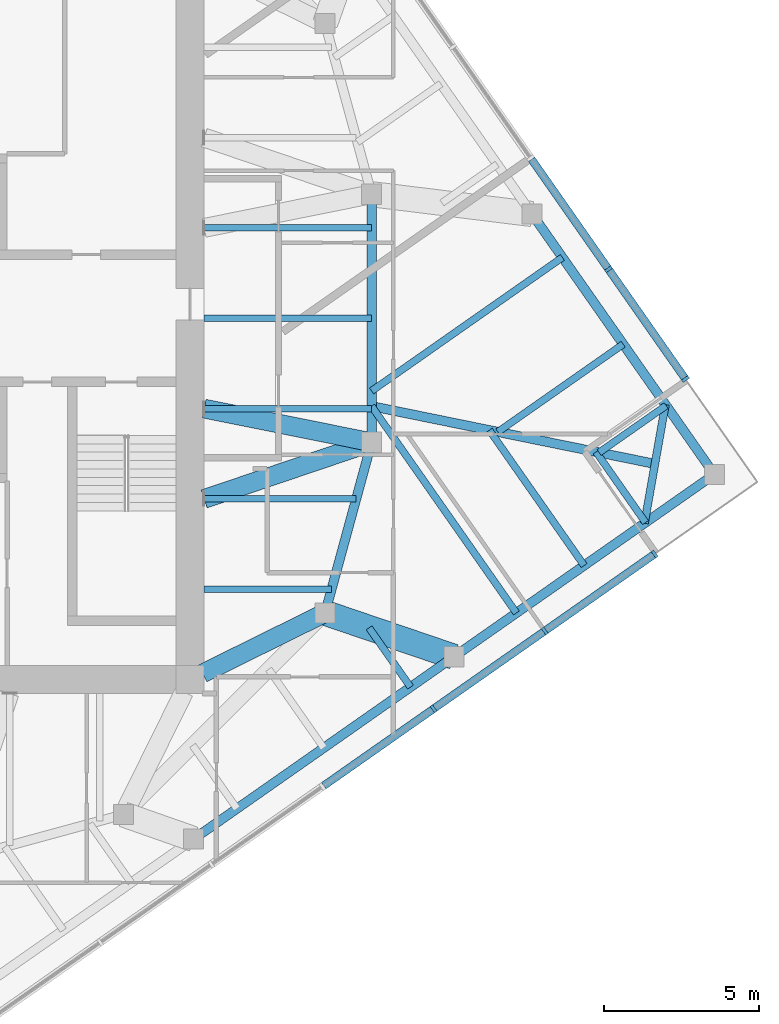
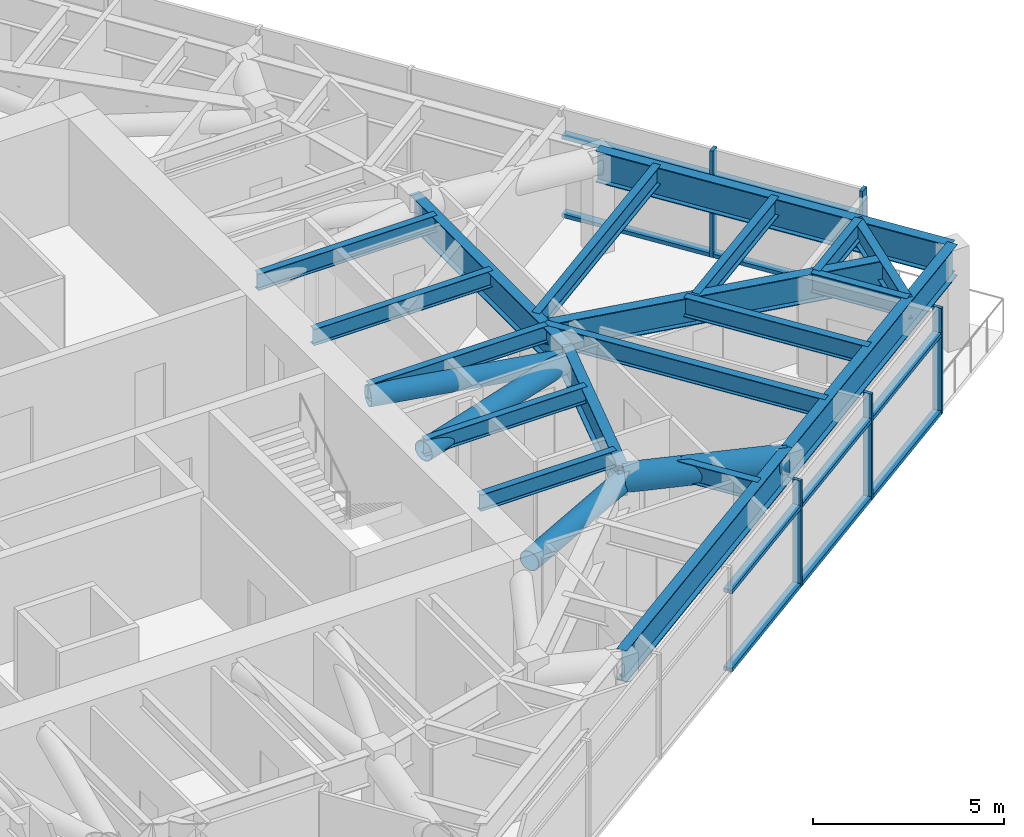
# One storey, part 4 of 15: 19 beams, 19 members, 2 elements without a shape of their own.
"""IFC4 building model written with IfcOpenShell, lengths in metres."""

from ifc_helpers import new_model, si_unit, direction, frame, origin, origin_2d, place, context, subcontext, project, spatial, rectangle, hollow_circle, i_section, extrude, material, material_profile, profile_set, type_object, element, aggregate, save


model = new_model("IFC4")

# Units and contexts
model_context = context("Model", 3, precision=1e-05, world=origin(), true_north=direction((0.0, 1.0)))
body_context = subcontext(model_context, "Body", "Model", "MODEL_VIEW")
ifc_project = project(units=[si_unit("LENGTHUNIT", "METRE"), si_unit("AREAUNIT", "SQUARE_METRE"), si_unit("VOLUMEUNIT", "CUBIC_METRE"), si_unit("PLANEANGLEUNIT", "RADIAN"), si_unit("MASSUNIT", "GRAM", prefix="KILO")], contexts=[model_context])

# Site, building, storey
site_placement = place(None, origin())
site = spatial("IfcSite", under=ifc_project, at=site_placement, CompositionType="ELEMENT")
building_placement = place(site_placement, origin())
building = spatial("IfcBuilding", under=site, at=building_placement, Name="Torsade Residences", CompositionType="ELEMENT")
storey_placement = place(building_placement, frame((0.0, 0.0, 264.199951171875)))
storey = spatial("IfcBuildingStorey", under=building, at=storey_placement, Name="L73", CompositionType="ELEMENT", Elevation=264.199951171875)

# Beams
ifc_material_1 = material(Name="Steel grade 300", Category="steel")
ifc_material_profile_1 = material_profile(ifc_material_1, i_section(OverallWidth=0.300048828125, OverallDepth=0.89990234375, WebThickness=0.011962890625, FlangeThickness=0.02490234375, at=origin_2d()), Name="900WB175")
ifc_profile_set_1 = profile_set([ifc_material_profile_1], Name="Steel grade 300")
beam_type_1 = type_object("IfcBeamType", Name="CORNER GIRDER 900WB175", PredefinedType="BEAM", material=ifc_profile_set_1)
beam_1_placement = place(storey_placement, frame((66.635986328125, 25.303466796875, 2.75), z_axis=(-0.979880626756, 0.199584461589, 0.0), x_axis=(-0.199584461589, -0.979880626756, 0.0)))
element("IfcBeam", 1, at=beam_1_placement, inside=storey, type_object=beam_type_1, Name="Corner girder 05 L74", PredefinedType="BEAM", context=body_context, shape_type="SweptSolid", body=[
    extrude(i_section(OverallWidth=0.300048828125, OverallDepth=0.89990234375, WebThickness=0.011962890625, FlangeThickness=0.02490234375, at=origin_2d()), origin(), (0.0, 0.0, 1.0), 9.323486328125),
])
ifc_material_2 = material(Name="Steel grade 300", Category="steel")
ifc_material_profile_2 = material_profile(ifc_material_2, i_section(OverallWidth=0.25, OverallDepth=0.699951171875, WebThickness=0.010009765625, FlangeThickness=0.02001953125, at=origin_2d()), Name="700WB130")
ifc_profile_set_2 = profile_set([ifc_material_profile_2], Name="Steel grade 300")
beam_type_2 = type_object("IfcBeamType", Name="CORNER TRIMMER 700WB130", PredefinedType="BEAM", material=ifc_profile_set_2)
beam_2_placement = place(storey_placement, frame((66.9736328125, 27.21826171875, 2.85009765625), z_axis=(-0.173645660267, -0.984808196894, 0.0), x_axis=(0.984808196894, -0.173645660267, 0.0)))
element("IfcBeam", 2, at=beam_2_placement, inside=storey, type_object=beam_type_2, Name="Corner trimmer 05 L74", PredefinedType="BEAM", context=body_context, shape_type="SweptSolid", body=[
    extrude(i_section(OverallWidth=0.25, OverallDepth=0.699951171875, WebThickness=0.010009765625, FlangeThickness=0.02001953125, at=origin_2d()), origin(), (0.0, 0.0, 1.0), 3.888916015625),
])

# Curtain wall, members
ifc_material_3 = material(Name="Aluminium and glass", Category="aluminium")
curtain_wall_type = type_object("IfcCurtainWallType", Name="FRITTED GLASS CURTAIN WALL HIGH ZONE", PredefinedType="NOTDEFINED", material=ifc_material_3)
curtain_wall_1_placement = place(storey_placement, origin())
curtain_wall_1 = element("IfcCurtainWall", 3, at=curtain_wall_1_placement, inside=storey, type_object=curtain_wall_type, Name="Curtain wall L73 face 1", PredefinedType="NOTDEFINED")
ifc_material_4 = material(Name="Aluminium mullion", Category="aluminium")
ifc_material_profile_3 = material_profile(ifc_material_4, rectangle(XDim=0.25, YDim=0.10009765625, at=origin_2d()), Name="HIGH ZONE CURTAIN WALL MULLION 250x100")
ifc_profile_set_3 = profile_set([ifc_material_profile_3], Name="Aluminium mullion")
member_type_1 = type_object("IfcMemberType", Name="HIGH ZONE CURTAIN WALL MULLION 250x100", PredefinedType="MULLION", material=ifc_profile_set_3)
member_1_placement = place(storey_placement, frame((59.49951171875, 17.406982421875, 0.0), z_axis=(0.0, 0.0, 1.0), x_axis=(-0.573576457682, 0.819152029353, 0.0)))
member_1 = element("IfcMember", 4, at=member_1_placement, type_object=member_type_1, Name="Mullion 7", PredefinedType="MULLION", context=body_context, shape_type="SweptSolid", body=[
    extrude(rectangle(XDim=0.25, YDim=0.10009765625, at=origin_2d()), origin(), (0.0, 0.0, 1.0), 3.400146484375),
])
member_2_placement = place(storey_placement, frame((63.083251953125, 19.91650390625, 0.0), z_axis=(0.0, 0.0, 1.0), x_axis=(-0.573576457682, 0.819152029353, 0.0)))
member_2 = element("IfcMember", 5, at=member_2_placement, type_object=member_type_1, Name="Mullion 8", PredefinedType="MULLION", context=body_context, shape_type="SweptSolid", body=[
    extrude(rectangle(XDim=0.25, YDim=0.10009765625, at=origin_2d()), origin(), (0.0, 0.0, 1.0), 3.400146484375),
])
member_3_placement = place(storey_placement, frame((66.6259765625, 22.397216796875, 0.0), z_axis=(0.0, 0.0, 1.0), x_axis=(-0.573576457682, 0.819152029353, 0.0)))
member_3 = element("IfcMember", 6, at=member_3_placement, type_object=member_type_1, Name="Mullion 9", PredefinedType="MULLION", context=body_context, shape_type="SweptSolid", body=[
    extrude(rectangle(XDim=0.25, YDim=0.10009765625, at=origin_2d()), origin(), (0.0, 0.0, 1.0), 3.400146484375),
])

curtain_wall_2_placement = place(storey_placement, origin())
curtain_wall_2 = element("IfcCurtainWall", 7, at=curtain_wall_2_placement, inside=storey, type_object=curtain_wall_type, Name="Curtain wall L73 face 4", PredefinedType="NOTDEFINED")
member_4_placement = place(storey_placement, frame((67.62060546875, 28.03759765625, 0.0), z_axis=(0.0, 0.0, 1.0), x_axis=(-0.819152029353, -0.573576457682, 0.0)))
member_4 = element("IfcMember", 8, at=member_4_placement, type_object=member_type_1, Name="Mullion 1", PredefinedType="MULLION", context=body_context, shape_type="SweptSolid", body=[
    extrude(rectangle(XDim=0.25, YDim=0.10009765625, at=origin_2d()), origin(), (0.0, 0.0, 1.0), 3.400146484375),
])
member_5_placement = place(storey_placement, frame((65.139892578125, 31.58056640625, 0.0), z_axis=(0.0, 0.0, 1.0), x_axis=(-0.819152029353, -0.573576457682, 0.0)))
member_5 = element("IfcMember", 9, at=member_5_placement, type_object=member_type_1, Name="Mullion 2", PredefinedType="MULLION", context=body_context, shape_type="SweptSolid", body=[
    extrude(rectangle(XDim=0.25, YDim=0.10009765625, at=origin_2d()), origin(), (0.0, 0.0, 1.0), 3.400146484375),
])

# Member
ifc_material_5 = material(Name="Aluminium transom", Category="aluminium")
ifc_material_profile_4 = material_profile(ifc_material_5, rectangle(XDim=0.25, YDim=0.1201171875, at=origin_2d()), Name="HIGH ZONE CURTAIN WALL TRANSOM 250x120")
ifc_profile_set_4 = profile_set([ifc_material_profile_4], Name="Aluminium transom")
member_type_2 = type_object("IfcMemberType", Name="HIGH ZONE CURTAIN WALL TRANSOM 250x120", PredefinedType="USERDEFINED", material=ifc_profile_set_4)
member_6_placement = place(storey_placement, frame((55.95654296875, 14.92626953125, 0.06005859375), z_axis=(0.819146058863, 0.57358498433, 0.0), x_axis=(-0.57358498433, 0.819146058863, 0.0)))
member_6 = element("IfcMember", 10, at=member_6_placement, type_object=member_type_2, Name="Transom 6.1", ObjectType="TRANSOM", PredefinedType="USERDEFINED", context=body_context, shape_type="SweptSolid", body=[
    extrude(rectangle(XDim=0.25, YDim=0.1201171875, at=origin_2d()), origin(), (0.0, 0.0, 1.0), 4.275146484375),
])

member_7_placement = place(storey_placement, frame((55.95654296875, 14.92626953125, 2.56005859375), z_axis=(0.819146058863, 0.57358498433, 0.0), x_axis=(-0.57358498433, 0.819146058863, 0.0)))
member_7 = element("IfcMember", 11, at=member_7_placement, type_object=member_type_2, Name="Transom 6.2", ObjectType="TRANSOM", PredefinedType="USERDEFINED", context=body_context, shape_type="SweptSolid", body=[
    extrude(rectangle(XDim=0.25, YDim=0.1201171875, at=origin_2d()), origin(), (0.0, 0.0, 1.0), 4.275146484375),
])

member_8_placement = place(storey_placement, frame((59.54052734375, 17.435791015625, 0.06005859375), z_axis=(0.819154102984, 0.573573496219, 0.0), x_axis=(-0.573573496219, 0.819154102984, 0.0)))
member_8 = element("IfcMember", 12, at=member_8_placement, type_object=member_type_2, Name="Transom 7.1", ObjectType="TRANSOM", PredefinedType="USERDEFINED", context=body_context, shape_type="SweptSolid", body=[
    extrude(rectangle(XDim=0.25, YDim=0.1201171875, at=origin_2d()), origin(), (0.0, 0.0, 1.0), 4.27490234375),
])

member_9_placement = place(storey_placement, frame((59.54052734375, 17.435791015625, 2.56005859375), z_axis=(0.819154102984, 0.573573496219, 0.0), x_axis=(-0.573573496219, 0.819154102984, 0.0)))
member_9 = element("IfcMember", 13, at=member_9_placement, type_object=member_type_2, Name="Transom 7.2", ObjectType="TRANSOM", PredefinedType="USERDEFINED", context=body_context, shape_type="SweptSolid", body=[
    extrude(rectangle(XDim=0.25, YDim=0.1201171875, at=origin_2d()), origin(), (0.0, 0.0, 1.0), 4.27490234375),
])

member_10_placement = place(storey_placement, frame((63.124267578125, 19.945068359375, 0.06005859375), z_axis=(0.819155901234, 0.573570928023, 0.0), x_axis=(-0.573570928023, 0.819155901234, 0.0)))
member_10 = element("IfcMember", 14, at=member_10_placement, type_object=member_type_2, Name="Transom 8.1", ObjectType="TRANSOM", PredefinedType="USERDEFINED", context=body_context, shape_type="SweptSolid", body=[
    extrude(rectangle(XDim=0.25, YDim=0.1201171875, at=origin_2d()), origin(), (0.0, 0.0, 1.0), 4.22509765625),
])

member_11_placement = place(storey_placement, frame((63.124267578125, 19.945068359375, 2.56005859375), z_axis=(0.819155901234, 0.573570928023, 0.0), x_axis=(-0.573570928023, 0.819155901234, 0.0)))
member_11 = element("IfcMember", 15, at=member_11_placement, type_object=member_type_2, Name="Transom 8.2", ObjectType="TRANSOM", PredefinedType="USERDEFINED", context=body_context, shape_type="SweptSolid", body=[
    extrude(rectangle(XDim=0.25, YDim=0.1201171875, at=origin_2d()), origin(), (0.0, 0.0, 1.0), 4.22509765625),
])

aggregate(curtain_wall_1, [member_1, member_2, member_3, member_6, member_7, member_8, member_9, member_10, member_11])

member_12_placement = place(storey_placement, frame((67.592041015625, 28.07861328125, 0.06005859375), z_axis=(-0.573570928023, 0.819155901234, 0.0), x_axis=(-0.819155901234, -0.573570928023, 0.0)))
member_12 = element("IfcMember", 16, at=member_12_placement, type_object=member_type_2, Name="Transom 1.1", ObjectType="TRANSOM", PredefinedType="USERDEFINED", context=body_context, shape_type="SweptSolid", body=[
    extrude(rectangle(XDim=0.25, YDim=0.1201171875, at=origin_2d()), origin(), (0.0, 0.0, 1.0), 4.22509765625),
])

member_13_placement = place(storey_placement, frame((67.592041015625, 28.07861328125, 2.56005859375), z_axis=(-0.573570928023, 0.819155901234, 0.0), x_axis=(-0.819155901234, -0.573570928023, 0.0)))
member_13 = element("IfcMember", 17, at=member_13_placement, type_object=member_type_2, Name="Transom 1.2", ObjectType="TRANSOM", PredefinedType="USERDEFINED", context=body_context, shape_type="SweptSolid", body=[
    extrude(rectangle(XDim=0.25, YDim=0.1201171875, at=origin_2d()), origin(), (0.0, 0.0, 1.0), 4.22509765625),
])

member_14_placement = place(storey_placement, frame((65.111328125, 31.62158203125, 0.06005859375), z_axis=(-0.573611817101, 0.819127269283, 0.0), x_axis=(-0.819127269283, -0.573611817101, 0.0)))
member_14 = element("IfcMember", 18, at=member_14_placement, type_object=member_type_2, Name="Transom 2.1", ObjectType="TRANSOM", PredefinedType="USERDEFINED", context=body_context, shape_type="SweptSolid", body=[
    extrude(rectangle(XDim=0.25, YDim=0.1201171875, at=origin_2d()), origin(), (0.0, 0.0, 1.0), 4.27490234375),
])

member_15_placement = place(storey_placement, frame((65.111328125, 31.62158203125, 2.56005859375), z_axis=(-0.573611817101, 0.819127269283, 0.0), x_axis=(-0.819127269283, -0.573611817101, 0.0)))
member_15 = element("IfcMember", 19, at=member_15_placement, type_object=member_type_2, Name="Transom 2.2", ObjectType="TRANSOM", PredefinedType="USERDEFINED", context=body_context, shape_type="SweptSolid", body=[
    extrude(rectangle(XDim=0.25, YDim=0.1201171875, at=origin_2d()), origin(), (0.0, 0.0, 1.0), 4.27490234375),
])

aggregate(curtain_wall_2, [member_4, member_5, member_12, member_13, member_14, member_15])

# Beams
ifc_material_6 = material(Name="Steel grade 300", Category="steel")
ifc_material_profile_5 = material_profile(ifc_material_6, i_section(OverallWidth=0.208984375, OverallDepth=0.528076171875, WebThickness=0.009521484375, FlangeThickness=0.01318359375, FilletRadius=0.013916015625, at=origin_2d()), Name="530UB82.0")
ifc_profile_set_5 = profile_set([ifc_material_profile_5], Name="Steel grade 300")
beam_type_3 = type_object("IfcBeamType", Name="INNER FLOOR BEAM 530UB82.0", PredefinedType="JOIST", material=ifc_profile_set_5)
beam_3_placement = place(storey_placement, frame((52.10009765625, 21.262451171875, 2.93603515625), z_axis=(1.0, 0.0, 0.0), x_axis=(0.0, 1.0, 0.0)))
element("IfcBeam", 20, at=beam_3_placement, inside=storey, type_object=beam_type_3, Name="Inner floor beam IE01 L74", PredefinedType="JOIST", context=body_context, shape_type="SweptSolid", body=[
    extrude(i_section(OverallWidth=0.208984375, OverallDepth=0.528076171875, WebThickness=0.009521484375, FlangeThickness=0.01318359375, FilletRadius=0.013916015625, at=origin_2d()), origin(), (0.0, 0.0, 1.0), 4.10791015625),
])
beam_4_placement = place(storey_placement, frame((52.10009765625, 24.175048828125, 2.93603515625), z_axis=(1.0, 0.0, 0.0), x_axis=(0.0, 1.0, 0.0)))
element("IfcBeam", 21, at=beam_4_placement, inside=storey, type_object=beam_type_3, Name="Inner floor beam IE02 L74", PredefinedType="JOIST", context=body_context, shape_type="SweptSolid", body=[
    extrude(i_section(OverallWidth=0.208984375, OverallDepth=0.528076171875, WebThickness=0.009521484375, FlangeThickness=0.01318359375, FilletRadius=0.013916015625, at=origin_2d()), origin(), (0.0, 0.0, 1.0), 4.902099609375),
])
for number, where, z_axis, x_axis, name in (
    (22, (52.10009765625, 27.08740234375, 2.93603515625), (1.0, 0.0, 0.0), (0.0, 1.0, 0.0), "Inner floor beam IE03 L74"),
    (23, (52.10009765625, 30.0, 2.93603515625), (1.0, 0.0, 0.0), (0.0, 1.0, 0.0), "Inner floor beam IE04 L74"),
    (24, (52.10009765625, 32.91259765625, 2.93603515625), (1.0, 0.0, 0.0), (0.0, 1.0, 0.0), "Inner floor beam IE05 L74"),
):
    element("IfcBeam", number, at=place(storey_placement, frame(where, z_axis=z_axis, x_axis=x_axis)), inside=storey, type_object=beam_type_3, Name=name, PredefinedType="JOIST", context=body_context, shape_type="SweptSolid", body=[
        extrude(i_section(OverallWidth=0.208984375, OverallDepth=0.528076171875, WebThickness=0.009521484375, FlangeThickness=0.01318359375, FilletRadius=0.013916015625, at=origin_2d()), origin(), (0.0, 0.0, 1.0), 5.39990234375),
    ])
ifc_material_7 = material(Name="Steel grade 300", Category="steel")
ifc_material_profile_6 = material_profile(ifc_material_7, i_section(OverallWidth=0.300048828125, OverallDepth=1.0, WebThickness=0.01611328125, FlangeThickness=0.028076171875, at=origin_2d()), Name="1000WB215")
ifc_profile_set_6 = profile_set([ifc_material_profile_6], Name="Steel grade 300")
beam_type_4 = type_object("IfcBeamType", Name="RING GIRDER 1000WB215", PredefinedType="BEAM", material=ifc_profile_set_6)
beam_5_placement = place(storey_placement, frame((57.5, 26.0, 2.699951171875), z_axis=(0.0, 1.0, 0.0), x_axis=(-1.0, 0.0, 0.0)))
element("IfcBeam", 25, at=beam_5_placement, inside=storey, type_object=beam_type_4, Name="Ring girder IR01 L74", PredefinedType="BEAM", context=body_context, shape_type="SweptSolid", body=[
    extrude(i_section(OverallWidth=0.300048828125, OverallDepth=1.0, WebThickness=0.01611328125, FlangeThickness=0.028076171875, at=origin_2d()), origin(), (0.0, 0.0, 1.0), 8.0),
])
beam_6_placement = place(storey_placement, frame((56.0, 20.5, 2.699951171875), z_axis=(0.263117405792, 0.964763821238, 0.0), x_axis=(-0.964763821238, 0.263117405792, 0.0)))
element("IfcBeam", 26, at=beam_6_placement, inside=storey, type_object=beam_type_4, Name="Ring girder IR16 L74", PredefinedType="BEAM", context=body_context, shape_type="SweptSolid", body=[
    extrude(i_section(OverallWidth=0.300048828125, OverallDepth=1.0, WebThickness=0.01611328125, FlangeThickness=0.028076171875, at=origin_2d()), origin(), (0.0, 0.0, 1.0), 5.700927734375),
])
ifc_material_8 = material(Name="Steel grade 300", Category="steel")
ifc_material_profile_7 = material_profile(ifc_material_8, i_section(OverallWidth=0.22900390625, OverallDepth=0.612060546875, WebThickness=0.011962890625, FlangeThickness=0.01953125, FilletRadius=0.013916015625, at=origin_2d()), Name="610UB125")
ifc_profile_set_7 = profile_set([ifc_material_profile_7], Name="Steel grade 300")
beam_type_5 = type_object("IfcBeamType", Name="SECONDARY BEAM 610UB125", PredefinedType="JOIST", material=ifc_profile_set_7)
beam_7_placement = place(storey_placement, frame((58.755126953125, 18.106689453125, 2.89404296875), z_axis=(-0.573560664637, 0.819163087535, 0.0), x_axis=(-0.819163087535, -0.573560664637, 0.0)))
element("IfcBeam", 27, at=beam_7_placement, inside=storey, type_object=beam_type_5, Name="Floor beam FS09 L74", PredefinedType="JOIST", context=body_context, shape_type="SweptSolid", body=[
    extrude(i_section(OverallWidth=0.22900390625, OverallDepth=0.612060546875, WebThickness=0.011962890625, FlangeThickness=0.01953125, FilletRadius=0.013916015625, at=origin_2d()), origin(), (0.0, 0.0, 1.0), 2.3330078125),
])
beam_8_placement = place(storey_placement, frame((62.16845703125, 20.49658203125, 2.89404296875), z_axis=(-0.573577087251, 0.819151588523, 0.0), x_axis=(-0.819151588523, -0.573577087251, 0.0)))
element("IfcBeam", 28, at=beam_8_placement, inside=storey, type_object=beam_type_5, Name="Floor beam FS10 L74", PredefinedType="JOIST", context=body_context, shape_type="SweptSolid", body=[
    extrude(i_section(OverallWidth=0.22900390625, OverallDepth=0.612060546875, WebThickness=0.011962890625, FlangeThickness=0.01953125, FilletRadius=0.013916015625, at=origin_2d()), origin(), (0.0, 0.0, 1.0), 8.13916015625),
])
beam_9_placement = place(storey_placement, frame((64.352783203125, 22.026123046875, 2.89404296875), z_axis=(-0.573597638513, 0.819137197966, 0.0), x_axis=(-0.819137197966, -0.573597638513, 0.0)))
element("IfcBeam", 29, at=beam_9_placement, inside=storey, type_object=beam_type_5, Name="Floor beam FS11 L74", PredefinedType="JOIST", context=body_context, shape_type="SweptSolid", body=[
    extrude(i_section(OverallWidth=0.22900390625, OverallDepth=0.612060546875, WebThickness=0.011962890625, FlangeThickness=0.01953125, FilletRadius=0.013916015625, at=origin_2d()), origin(), (0.0, 0.0, 1.0), 5.328369140625),
])
beam_10_placement = place(storey_placement, frame((66.332275390625, 23.412353515625, 2.89404296875), z_axis=(-0.573521270253, 0.819190669238, 0.0), x_axis=(-0.819190669238, -0.573521270253, 0.0)))
element("IfcBeam", 30, at=beam_10_placement, inside=storey, type_object=beam_type_5, Name="Floor beam FS12 L74", PredefinedType="JOIST", context=body_context, shape_type="SweptSolid", body=[
    extrude(i_section(OverallWidth=0.22900390625, OverallDepth=0.612060546875, WebThickness=0.011962890625, FlangeThickness=0.01953125, FilletRadius=0.013916015625, at=origin_2d()), origin(), (0.0, 0.0, 1.0), 2.780517578125),
])
beam_11_placement = place(storey_placement, frame((66.99755859375, 27.184326171875, 2.89404296875), z_axis=(-0.819140666445, -0.573592685254, 0.0), x_axis=(0.573592685254, -0.819140666445, 0.0)))
element("IfcBeam", 31, at=beam_11_placement, inside=storey, type_object=beam_type_5, Name="Floor beam FE01 L74", PredefinedType="JOIST", context=body_context, shape_type="SweptSolid", body=[
    extrude(i_section(OverallWidth=0.22900390625, OverallDepth=0.612060546875, WebThickness=0.011962890625, FlangeThickness=0.01953125, FilletRadius=0.013916015625, at=origin_2d()), origin(), (0.0, 0.0, 1.0), 2.639892578125),
])
beam_12_placement = place(storey_placement, frame((65.611328125, 29.163818359375, 2.89404296875), z_axis=(-0.819152843027, -0.573575295634, 0.0), x_axis=(0.573575295634, -0.819152843027, 0.0)))
element("IfcBeam", 32, at=beam_12_placement, inside=storey, type_object=beam_type_5, Name="Floor beam FE02 L74", PredefinedType="JOIST", context=body_context, shape_type="SweptSolid", body=[
    extrude(i_section(OverallWidth=0.22900390625, OverallDepth=0.612060546875, WebThickness=0.011962890625, FlangeThickness=0.01953125, FilletRadius=0.013916015625, at=origin_2d()), origin(), (0.0, 0.0, 1.0), 4.931884765625),
])
beam_13_placement = place(storey_placement, frame((63.651611328125, 31.962646484375, 2.89404296875), z_axis=(-0.819154019917, -0.573573614851, 0.0), x_axis=(0.573573614851, -0.819154019917, 0.0)))
element("IfcBeam", 33, at=beam_13_placement, inside=storey, type_object=beam_type_5, Name="Floor beam FE03 L74", PredefinedType="JOIST", context=body_context, shape_type="SweptSolid", body=[
    extrude(i_section(OverallWidth=0.22900390625, OverallDepth=0.612060546875, WebThickness=0.011962890625, FlangeThickness=0.01953125, FilletRadius=0.013916015625, at=origin_2d()), origin(), (0.0, 0.0, 1.0), 7.509765625),
])

# Members
ifc_material_9 = material(Name="Steel grade 450", Category="steel")
ifc_material_profile_8 = material_profile(ifc_material_9, hollow_circle(Radius=0.304931640625, WallThickness=0.01611328125, at=origin_2d()), Name="610.0x16.0CHS")
ifc_profile_set_8 = profile_set([ifc_material_profile_8], Name="Steel grade 450")
member_type_3 = type_object("IfcMemberType", Name="TRANSFER FLOOR BRACE 610.0x16.0CHS", PredefinedType="BRACE", material=ifc_profile_set_8)
member_16_placement = place(storey_placement, frame((57.5, 26.0, 2.699951171875), z_axis=(-0.980200740375, 0.197387381211, 0.015643858457), x_axis=(-0.197411538983, -0.980320704809, 0.0)))
element("IfcMember", 34, at=member_16_placement, inside=storey, type_object=member_type_3, Name="Transfer floor brace TT8 bottom IR01IE03", PredefinedType="BRACE", context=body_context, shape_type="SweptSolid", body=[
    extrude(hollow_circle(Radius=0.304931640625, WallThickness=0.01611328125, at=origin_2d()), origin(), (0.0, 0.0, 1.0), 5.509033203125),
])
member_17_placement = place(storey_placement, frame((57.5, 26.0, 2.699951171875), z_axis=(-0.947251883503, -0.320133277384, 0.015117999588), x_axis=(0.320169867513, -0.947360151124, 0.0)))
element("IfcMember", 35, at=member_17_placement, inside=storey, type_object=member_type_3, Name="Transfer floor brace TT8 bottom IR01IE02", PredefinedType="BRACE", context=body_context, shape_type="SweptSolid", body=[
    extrude(hollow_circle(Radius=0.304931640625, WallThickness=0.01611328125, at=origin_2d()), origin(), (0.0, 0.0, 1.0), 5.70068359375),
])
member_18_placement = place(storey_placement, frame((56.0, 20.5, 2.699951171875), z_axis=(-0.896469701914, -0.443105036702, 0.0), x_axis=(0.443105036702, -0.896469701914, 0.0)))
element("IfcMember", 36, at=member_18_placement, inside=storey, type_object=member_type_3, Name="Transfer floor brace TT8 bottom IR16C", PredefinedType="BRACE", context=body_context, shape_type="SweptSolid", body=[
    extrude(hollow_circle(Radius=0.304931640625, WallThickness=0.01611328125, at=origin_2d()), origin(), (0.0, 0.0, 1.0), 4.40234375),
])
ifc_material_10 = material(Name="Steel grade 450", Category="steel")
ifc_material_profile_9 = material_profile(ifc_material_10, hollow_circle(Radius=0.406494140625, WallThickness=0.02490234375, at=origin_2d()), Name="813.0x25.0CHS")
ifc_profile_set_9 = profile_set([ifc_material_profile_9], Name="Steel grade 450")
member_type_4 = type_object("IfcMemberType", Name="TRANSFER FLOOR STRUT 813.0x25.0CHS", PredefinedType="STRUT", material=ifc_profile_set_9)
member_19_placement = place(storey_placement, frame((60.154541015625, 19.08642578125, 2.798583984375), z_axis=(-0.946701170915, 0.322113167985, 0.0), x_axis=(-0.322113167985, -0.946701170915, 0.0)))
element("IfcMember", 37, at=member_19_placement, inside=storey, type_object=member_type_4, Name="Transfer floor strut TT8 bottom 04IR16", PredefinedType="STRUT", context=body_context, shape_type="SweptSolid", body=[
    extrude(hollow_circle(Radius=0.406494140625, WallThickness=0.02490234375, at=origin_2d()), origin(), (0.0, 0.0, 1.0), 4.388427734375),
])

# Beams
ifc_material_11 = material(Name="Steel grade 300", Category="steel")
ifc_material_profile_10 = material_profile(ifc_material_11, i_section(OverallWidth=0.300048828125, OverallDepth=1.0, WebThickness=0.01611328125, FlangeThickness=0.028076171875, at=origin_2d()), Name="1000WB215")
ifc_profile_set_10 = profile_set([ifc_material_profile_10], Name="Steel grade 300")
beam_type_6 = type_object("IfcBeamType", Name="TRANSFER TRUSS CHORD 1000WB215", PredefinedType="USERDEFINED", material=ifc_profile_set_10)
beam_14_placement = place(storey_placement, frame((51.75830078125, 13.207275390625, 2.699951171875), z_axis=(0.819150225126, 0.573579034377, 0.0), x_axis=(-0.573579034377, 0.819150225126, 0.0)))
element("IfcBeam", 38, at=beam_14_placement, inside=storey, type_object=beam_type_6, Name="Transfer truss TT8 bottom chord 03", ObjectType="TRANSFER TRUSS CHORD", PredefinedType="USERDEFINED", context=body_context, shape_type="SweptSolid", body=[
    extrude(i_section(OverallWidth=0.300048828125, OverallDepth=1.0, WebThickness=0.01611328125, FlangeThickness=0.028076171875, at=origin_2d()), origin(), (0.0, 0.0, 1.0), 10.25),
])
beam_15_placement = place(storey_placement, frame((60.154541015625, 19.08642578125, 2.699951171875), z_axis=(0.819146870247, 0.573583825578, 0.0), x_axis=(-0.573583825578, 0.819146870247, 0.0)))
element("IfcBeam", 39, at=beam_15_placement, inside=storey, type_object=beam_type_6, Name="Transfer truss TT8 bottom chord 04", ObjectType="TRANSFER TRUSS CHORD", PredefinedType="USERDEFINED", context=body_context, shape_type="SweptSolid", body=[
    extrude(i_section(OverallWidth=0.300048828125, OverallDepth=1.0, WebThickness=0.01611328125, FlangeThickness=0.028076171875, at=origin_2d()), origin(), (0.0, 0.0, 1.0), 10.250244140625),
])
beam_16_placement = place(storey_placement, frame((68.551025390625, 24.9658203125, 2.699951171875), z_axis=(-0.573579034377, 0.819150225126, 0.0), x_axis=(-0.819150225126, -0.573579034377, 0.0)))
element("IfcBeam", 40, at=beam_16_placement, inside=storey, type_object=beam_type_6, Name="Transfer truss TT8 bottom chord 05", ObjectType="TRANSFER TRUSS CHORD", PredefinedType="USERDEFINED", context=body_context, shape_type="SweptSolid", body=[
    extrude(i_section(OverallWidth=0.300048828125, OverallDepth=1.0, WebThickness=0.01611328125, FlangeThickness=0.028076171875, at=origin_2d()), origin(), (0.0, 0.0, 1.0), 10.25),
])

save(model, "model.ifc")
